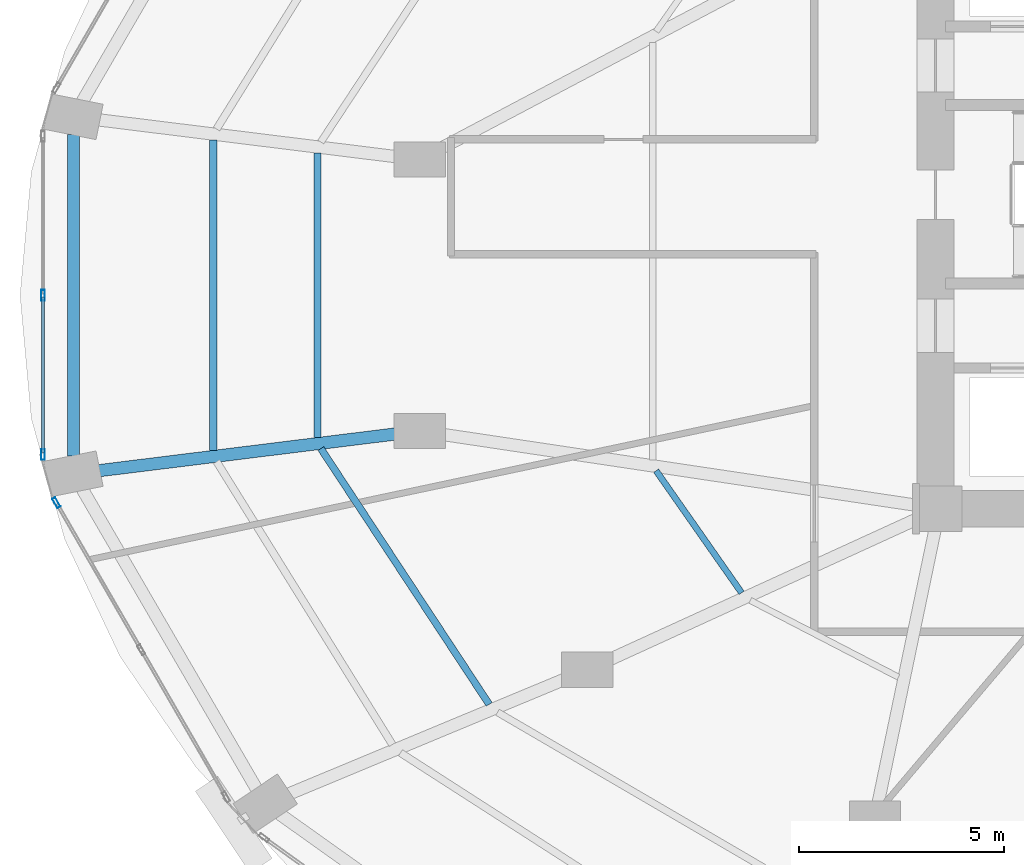
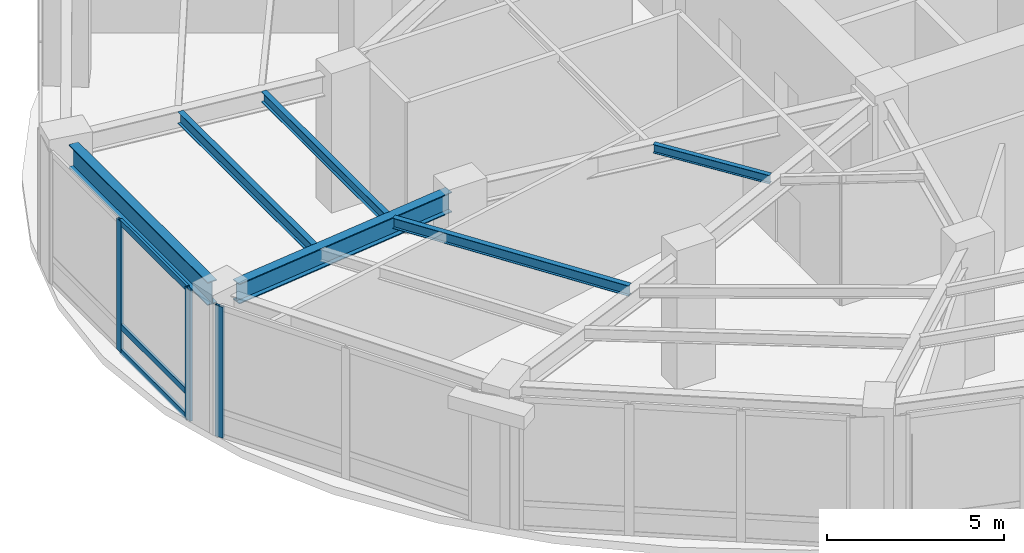
# One storey, part 6 of 24: 6 beams, 6 members, 2 elements without a shape of their own.
"""IFC4 building model written with IfcOpenShell, lengths in metres."""

from ifc_helpers import new_model, si_unit, direction, frame, origin, origin_2d, place, context, subcontext, project, spatial, hollow_rectangle, i_section, extrude, material, layer, layer_set, material_profile, profile_set, type_object, element, aggregate, save


model = new_model("IFC4")

# Units and contexts
model_context = context("Model", 3, precision=1e-05, world=origin(), true_north=direction((0.0, 1.0)))
body_context = subcontext(model_context, "Body", "Model", "MODEL_VIEW")
ifc_project = project(units=[si_unit("LENGTHUNIT", "METRE"), si_unit("AREAUNIT", "SQUARE_METRE"), si_unit("VOLUMEUNIT", "CUBIC_METRE"), si_unit("PLANEANGLEUNIT", "RADIAN"), si_unit("MASSUNIT", "GRAM", prefix="KILO")], contexts=[model_context])

# Site, building, storey
site_placement = place(None, origin())
site = spatial("IfcSite", under=ifc_project, at=site_placement, CompositionType="ELEMENT")
building_placement = place(site_placement, origin())
building = spatial("IfcBuilding", under=site, at=building_placement, Name="Lazwardi Medical Tower", CompositionType="ELEMENT")
storey_placement = place(building_placement, frame((0.0, 0.0, 6.0)))
storey = spatial("IfcBuildingStorey", under=building, at=storey_placement, Name="L01", CompositionType="ELEMENT", Elevation=6.0)

# Beams
ifc_material_1 = material(Name="Steel S355", Category="steel")
ifc_material_profile_1 = material_profile(ifc_material_1, i_section(OverallWidth=0.300048828125, OverallDepth=0.800048828125, WebThickness=0.017578125, FlangeThickness=0.032958984375, at=origin_2d()), Name="HEB 800")
ifc_profile_set_1 = profile_set([ifc_material_profile_1], Name="Steel S355")
beam_type_1 = type_object("IfcBeamType", Name="BM-RB-P1", PredefinedType="BEAM", material=ifc_profile_set_1)
beam_1_placement = place(storey_placement, frame((5.301513671875, 29.5205078125, 4.1201171875), z_axis=(0.0, -1.0, 0.0), x_axis=(1.0, 0.0, 0.0)))
element("IfcBeam", 1, at=beam_1_placement, inside=storey, type_object=beam_type_1, Name="Ring beam RB-01 B12 L01", PredefinedType="BEAM", context=body_context, shape_type="SweptSolid", body=[
    extrude(i_section(OverallWidth=0.300048828125, OverallDepth=0.800048828125, WebThickness=0.017578125, FlangeThickness=0.032958984375, at=origin_2d()), origin(), (0.0, 0.0, 1.0), 7.841064453125),
])
ifc_material_profile_2 = material_profile(ifc_material_1, i_section(OverallWidth=0.300048828125, OverallDepth=0.699951171875, WebThickness=0.01708984375, FlangeThickness=0.031982421875, at=origin_2d()), Name="HEB 700")
ifc_profile_set_2 = profile_set([ifc_material_profile_2], Name="Steel S355")
beam_type_2 = type_object("IfcBeamType", Name="BM-RG-P1", PredefinedType="BEAM", material=ifc_profile_set_2)
beam_2_placement = place(storey_placement, frame((5.876953125, 21.32080078125, 4.169921875), z_axis=(0.992421549031, 0.122879896728, 0.0), x_axis=(-0.122879896728, 0.992421549031, 0.0)))
element("IfcBeam", 2, at=beam_2_placement, inside=storey, type_object=beam_type_2, Name="Radial girder RG-01 R13A L01", PredefinedType="BEAM", context=body_context, shape_type="SweptSolid", body=[
    extrude(i_section(OverallWidth=0.300048828125, OverallDepth=0.699951171875, WebThickness=0.01708984375, FlangeThickness=0.031982421875, at=origin_2d()), origin(), (0.0, 0.0, 1.0), 7.52001953125),
])
ifc_material_profile_3 = material_profile(ifc_material_1, i_section(OverallWidth=0.179931640625, OverallDepth=0.39990234375, WebThickness=0.008544921875, FlangeThickness=0.013427734375, at=origin_2d()), Name="IPE 400")
ifc_profile_set_3 = profile_set([ifc_material_profile_3], Name="Steel S355")
beam_type_3 = type_object("IfcBeamType", Name="BM-SJ-01", PredefinedType="JOIST", material=ifc_profile_set_3)
beam_3_placement = place(storey_placement, frame((8.712890625, 29.383056640625, 4.320068359375), z_axis=(0.0, -1.0, 0.0), x_axis=(1.0, 0.0, 0.0)))
element("IfcBeam", 3, at=beam_3_placement, inside=storey, type_object=beam_type_3, Name="Secondary joist SJ-01 RO1 B12 L01", PredefinedType="JOIST", context=body_context, shape_type="SweptSolid", body=[
    extrude(i_section(OverallWidth=0.179931640625, OverallDepth=0.39990234375, WebThickness=0.008544921875, FlangeThickness=0.013427734375, at=origin_2d()), origin(), (0.0, 0.0, 1.0), 7.566162109375),
])
ifc_material_profile_4 = material_profile(ifc_material_1, i_section(OverallWidth=0.169921875, OverallDepth=0.360107421875, WebThickness=0.008056640625, FlangeThickness=0.0126953125, at=origin_2d()), Name="IPE 360")
ifc_profile_set_4 = profile_set([ifc_material_profile_4], Name="Steel S355")
beam_type_4 = type_object("IfcBeamType", Name="BM-SJ-02", PredefinedType="JOIST", material=ifc_profile_set_4)
beam_4_placement = place(storey_placement, frame((11.25048828125, 29.06884765625, 4.340087890625), z_axis=(0.0, -1.0, 0.0), x_axis=(1.0, 0.0, 0.0)))
element("IfcBeam", 4, at=beam_4_placement, inside=storey, type_object=beam_type_4, Name="Secondary joist SJ-02 RO2 B12 L01", PredefinedType="JOIST", context=body_context, shape_type="SweptSolid", body=[
    extrude(i_section(OverallWidth=0.169921875, OverallDepth=0.360107421875, WebThickness=0.008056640625, FlangeThickness=0.0126953125, at=origin_2d()), origin(), (0.0, 0.0, 1.0), 6.937744140625),
])
beam_5_placement = place(storey_placement, frame((11.330078125, 21.864990234375, 4.340087890625), z_axis=(0.549697059584, -0.835364077924, 0.0), x_axis=(0.835364077924, 0.549697059584, 0.0)))
element("IfcBeam", 5, at=beam_5_placement, inside=storey, type_object=beam_type_4, Name="Secondary joist SJ-02 RO2 B13 L01", PredefinedType="JOIST", context=body_context, shape_type="SweptSolid", body=[
    extrude(i_section(OverallWidth=0.169921875, OverallDepth=0.360107421875, WebThickness=0.008056640625, FlangeThickness=0.0126953125, at=origin_2d()), origin(), (0.0, 0.0, 1.0), 7.45849609375),
])
ifc_material_profile_5 = material_profile(ifc_material_1, i_section(OverallWidth=0.14990234375, OverallDepth=0.300048828125, WebThickness=0.007080078125, FlangeThickness=0.0107421875, at=origin_2d()), Name="IPE 300")
ifc_profile_set_5 = profile_set([ifc_material_profile_5], Name="Steel S355")
beam_type_5 = type_object("IfcBeamType", Name="BM-SJ-03", PredefinedType="JOIST", material=ifc_profile_set_5)
beam_6_placement = place(storey_placement, frame((19.498046875, 21.325927734375, 4.3701171875), z_axis=(0.573579674623, -0.819149776817, 0.0), x_axis=(0.819149776817, 0.573579674623, 0.0)))
element("IfcBeam", 6, at=beam_6_placement, inside=storey, type_object=beam_type_5, Name="Secondary joist SJ-03 RI1 B13 L01", PredefinedType="JOIST", context=body_context, shape_type="SweptSolid", body=[
    extrude(i_section(OverallWidth=0.14990234375, OverallDepth=0.300048828125, WebThickness=0.007080078125, FlangeThickness=0.0107421875, at=origin_2d()), origin(), (0.0, 0.0, 1.0), 3.630859375),
])

# Curtain wall, members
ifc_material_2 = material(Name="Anodised bronze aluminium and solar control glazing", Category="aluminium")
ifc_layer = layer(ifc_material_2, 0.219970703125)
ifc_layer_set = layer_set([ifc_layer], Name="Anodised bronze aluminium and solar control glazing")
curtain_wall_type = type_object("IfcCurtainWallType", Name="CW-SYS-01", PredefinedType="NOTDEFINED", material=ifc_layer_set)
curtain_wall_1_placement = place(storey_placement, origin())
curtain_wall_1 = element("IfcCurtainWall", 7, at=curtain_wall_1_placement, inside=storey, type_object=curtain_wall_type, Name="L01 Unitised bronze curtain wall CW-01", PredefinedType="NOTDEFINED")
ifc_material_3 = material(Name="Anodised bronze aluminium", Category="aluminium")
ifc_material_profile_6 = material_profile(ifc_material_3, hollow_rectangle(XDim=0.0849609375, YDim=0.260009765625, WallThickness=0.0048828125, at=origin_2d()), Name="ALU-MULLION 260x85x5")
ifc_profile_set_6 = profile_set([ifc_material_profile_6], Name="Anodised bronze aluminium")
member_type_1 = type_object("IfcMemberType", Name="CW-MUL-02", PredefinedType="MULLION", material=ifc_profile_set_6)
member_1_placement = place(storey_placement, frame((4.560302734375, 25.60009765625, 0.0), z_axis=(0.0, 0.0, 1.0), x_axis=(1.0, 0.0, 0.0)))
member_1 = element("IfcMember", 8, at=member_1_placement, type_object=member_type_1, Name="CW-01 mullion 2", PredefinedType="MULLION", context=body_context, shape_type="SweptSolid", body=[
    extrude(hollow_rectangle(XDim=0.0849609375, YDim=0.260009765625, WallThickness=0.0048828125, at=origin_2d()), origin(), (0.0, 0.0, 1.0), 4.52001953125),
])
member_2_placement = place(storey_placement, frame((4.560302734375, 21.723388671875, 0.0), z_axis=(0.0, 0.0, 1.0), x_axis=(1.0, 0.0, 0.0)))
member_2 = element("IfcMember", 9, at=member_2_placement, type_object=member_type_1, Name="CW-01 mullion 3", PredefinedType="MULLION", context=body_context, shape_type="SweptSolid", body=[
    extrude(hollow_rectangle(XDim=0.0849609375, YDim=0.260009765625, WallThickness=0.0048828125, at=origin_2d()), origin(), (0.0, 0.0, 1.0), 4.52001953125),
])

# Curtain wall, member
curtain_wall_2_placement = place(storey_placement, origin())
curtain_wall_2 = element("IfcCurtainWall", 10, at=curtain_wall_2_placement, inside=storey, type_object=curtain_wall_type, Name="L01 Unitised bronze curtain wall CW-01", PredefinedType="NOTDEFINED")
member_3_placement = place(storey_placement, frame((4.8857421875, 20.5458984375, 0.0), z_axis=(0.0, 0.0, 1.0), x_axis=(0.866180607783, 0.499731082384, 0.0)))
member_3 = element("IfcMember", 11, at=member_3_placement, type_object=member_type_1, Name="CW-01 mullion 1", PredefinedType="MULLION", context=body_context, shape_type="SweptSolid", body=[
    extrude(hollow_rectangle(XDim=0.0849609375, YDim=0.260009765625, WallThickness=0.0048828125, at=origin_2d()), origin(), (0.0, 0.0, 1.0), 4.52001953125),
])
aggregate(curtain_wall_2, [member_3])

# Member
ifc_material_profile_7 = material_profile(ifc_material_3, hollow_rectangle(XDim=0.0849609375, YDim=0.199951171875, WallThickness=0.00439453125, at=origin_2d()), Name="ALU-TRANSOM 200x85x4.5")
ifc_profile_set_7 = profile_set([ifc_material_profile_7], Name="Anodised bronze aluminium")
member_type_2 = type_object("IfcMemberType", Name="CW-TRN-02", PredefinedType="USERDEFINED", material=ifc_profile_set_7)
member_4_placement = place(storey_placement, frame((4.560302734375, 25.5576171875, 0.04248046875), z_axis=(0.0, -1.0, 0.0), x_axis=(1.0, 0.0, 0.0)))
member_4 = element("IfcMember", 12, at=member_4_placement, type_object=member_type_2, Name="CW-01 transom 2.1", ObjectType="TRANSOM", PredefinedType="USERDEFINED", context=body_context, shape_type="SweptSolid", body=[
    extrude(hollow_rectangle(XDim=0.0849609375, YDim=0.199951171875, WallThickness=0.00439453125, at=origin_2d()), origin(), (0.0, 0.0, 1.0), 3.791748046875),
])

member_5_placement = place(storey_placement, frame((4.560302734375, 25.5576171875, 0.89990234375), z_axis=(0.0, -1.0, 0.0), x_axis=(1.0, 0.0, 0.0)))
member_5 = element("IfcMember", 13, at=member_5_placement, type_object=member_type_2, Name="CW-01 transom 2.2", ObjectType="TRANSOM", PredefinedType="USERDEFINED", context=body_context, shape_type="SweptSolid", body=[
    extrude(hollow_rectangle(XDim=0.0849609375, YDim=0.199951171875, WallThickness=0.00439453125, at=origin_2d()), origin(), (0.0, 0.0, 1.0), 3.791748046875),
])

member_6_placement = place(storey_placement, frame((4.560302734375, 25.5576171875, 4.4775390625), z_axis=(0.0, -1.0, 0.0), x_axis=(1.0, 0.0, 0.0)))
member_6 = element("IfcMember", 14, at=member_6_placement, type_object=member_type_2, Name="CW-01 transom 2.3", ObjectType="TRANSOM", PredefinedType="USERDEFINED", context=body_context, shape_type="SweptSolid", body=[
    extrude(hollow_rectangle(XDim=0.0849609375, YDim=0.199951171875, WallThickness=0.00439453125, at=origin_2d()), origin(), (0.0, 0.0, 1.0), 3.791748046875),
])

aggregate(curtain_wall_1, [member_1, member_2, member_4, member_5, member_6])

save(model, "model.ifc")
